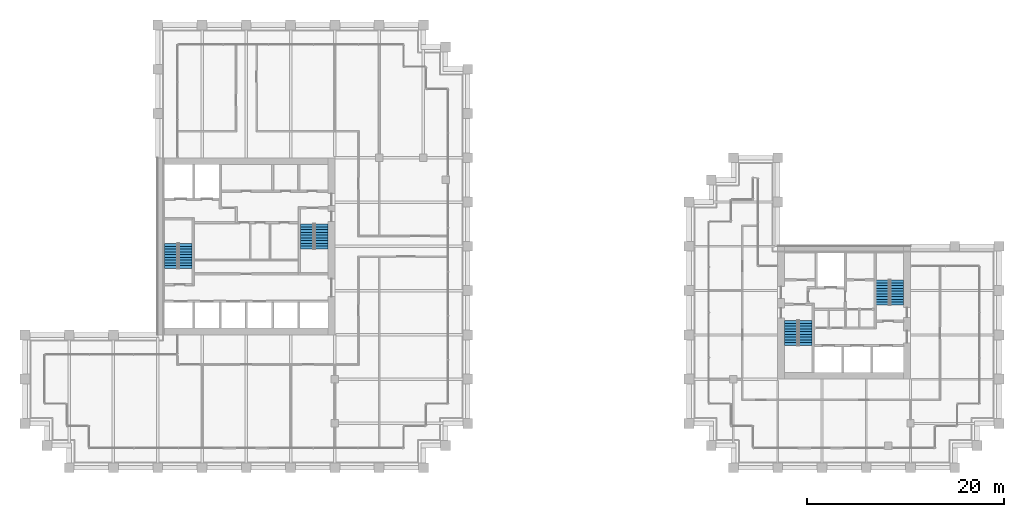
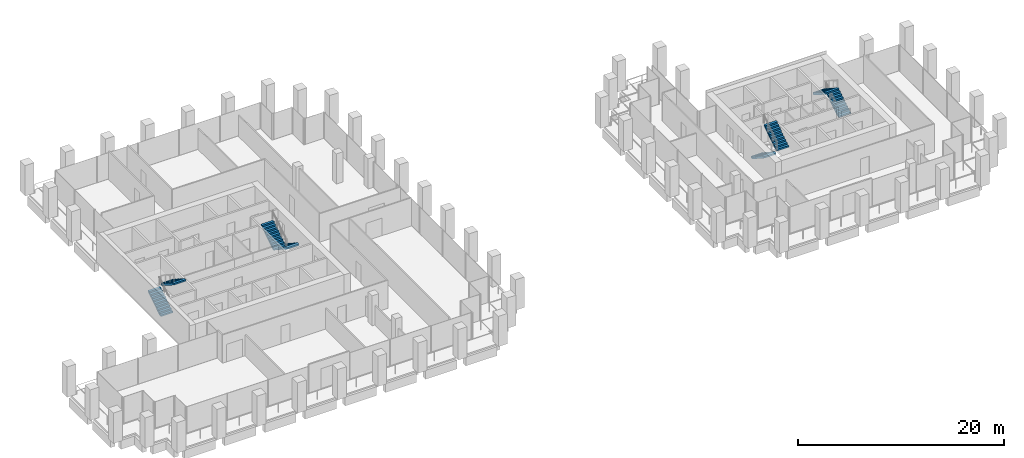
# One storey, part 44 of 45: 8 stair flights, 4 elements without a shape of their own.
"""IFC4 building model written with IfcOpenShell, lengths in metres."""

from ifc_helpers import new_model, si_unit, direction, frame, origin, place, context, subcontext, project, spatial, polyline, outline, extrude, material, type_object, element, aggregate, save


model = new_model("IFC4")

# Units and contexts
model_context = context("Model", 3, precision=1e-05, world=origin(), true_north=direction((0.0, 1.0)))
body_context = subcontext(model_context, "Body", "Model", "MODEL_VIEW")
ifc_project = project(units=[si_unit("LENGTHUNIT", "METRE"), si_unit("AREAUNIT", "SQUARE_METRE"), si_unit("VOLUMEUNIT", "CUBIC_METRE"), si_unit("PLANEANGLEUNIT", "RADIAN"), si_unit("MASSUNIT", "GRAM", prefix="KILO")], contexts=[model_context])

# Site, building, storey
site_placement = place(None, origin())
site = spatial("IfcSite", under=ifc_project, at=site_placement, CompositionType="ELEMENT")
building_placement = place(site_placement, origin())
building = spatial("IfcBuilding", under=site, at=building_placement, Name="Altepetl Exchange Towers", CompositionType="ELEMENT")
storey_placement = place(building_placement, frame((0.0, 0.0, 110.0)))
storey = spatial("IfcBuildingStorey", under=building, at=storey_placement, Name="L27", CompositionType="ELEMENT", Elevation=110.0)

# Stair, stair flights
ifc_material = material(Name="Concrete C40/50", Category="concrete")
stair_type = type_object("IfcStairType", Name="Exit stair 1350 flights dogleg", PredefinedType="HALF_TURN_STAIR", material=ifc_material)
stair_1_placement = place(storey_placement, origin())
stair_1 = element("IfcStair", 1, at=stair_1_placement, inside=storey, type_object=stair_type, Name="Exit stair 1", PredefinedType="HALF_TURN_STAIR")
stair_flight_type = type_object("IfcStairFlightType", Name="Stair flight 1350 wide", PredefinedType="STRAIGHT", material=ifc_material)
stair_flight_1_placement = place(storey_placement, frame((41.875, 47.25, 0.0), z_axis=(0.0, 0.0, 1.0), x_axis=(0.0, 1.0, 0.0)))
stair_flight_1 = element("IfcStairFlight", 2, at=stair_flight_1_placement, type_object=stair_flight_type, Name="ST-A1d flight 1", NumberOfRisers=10, NumberOfTreads=9, PredefinedType="STRAIGHT", RiserHeight=0.18, TreadLength=0.28, context=body_context, shape_type="SweptSolid", body=[
    extrude(outline(polyline([(0.0, 0.0), (0.0, 0.179931640625), (0.280029296875, 0.179931640625), (0.280029296875, 0.360107421875), (0.56005859375, 0.360107421875), (0.56005859375, 0.5400390625), (0.840087890625, 0.5400390625), (0.840087890625, 0.719970703125), (1.1201171875, 0.719970703125), (1.1201171875, 0.89990234375), (1.39990234375, 0.89990234375), (1.39990234375, 1.080078125), (1.679931640625, 1.080078125), (1.679931640625, 1.260009765625), (1.9599609375, 1.260009765625), (1.9599609375, 1.43994140625), (2.239990234375, 1.43994140625), (2.239990234375, 1.6201171875), (2.52001953125, 1.6201171875), (2.52001953125, 1.800048828125), (2.52001953125, 1.44189453125), (0.277099609375, 0.0), (0.0, 0.0)])), frame((0.0, 0.675048828125, 0.0), z_axis=(0.0, -1.0, 0.0), x_axis=(1.0, 0.0, 0.0)), (0.0, 0.0, 1.0), 1.35009765625),
])
stair_flight_2_placement = place(storey_placement, frame((43.324951171875, 49.77001953125, 1.800048828125), z_axis=(0.0, 0.0, 1.0), x_axis=(0.0, -1.0, 0.0)))
stair_flight_2 = element("IfcStairFlight", 3, at=stair_flight_2_placement, type_object=stair_flight_type, Name="ST-A1d flight 2", NumberOfRisers=10, NumberOfTreads=9, PredefinedType="STRAIGHT", RiserHeight=0.18, TreadLength=0.28, context=body_context, shape_type="SweptSolid", body=[
    extrude(outline(polyline([(0.0, 0.0), (0.0, 0.179931640625), (0.280029296875, 0.179931640625), (0.280029296875, 0.360107421875), (0.56005859375, 0.360107421875), (0.56005859375, 0.5400390625), (0.840087890625, 0.5400390625), (0.840087890625, 0.719970703125), (1.1201171875, 0.719970703125), (1.1201171875, 0.89990234375), (1.39990234375, 0.89990234375), (1.39990234375, 1.080078125), (1.679931640625, 1.080078125), (1.679931640625, 1.260009765625), (1.9599609375, 1.260009765625), (1.9599609375, 1.43994140625), (2.239990234375, 1.43994140625), (2.239990234375, 1.6201171875), (2.52001953125, 1.6201171875), (2.52001953125, 1.800048828125), (2.52001953125, 1.44189453125), (0.277099609375, 0.0), (0.0, 0.0)])), frame((0.0, 0.675048828125, 0.0), z_axis=(0.0, -1.0, 0.0), x_axis=(1.0, 0.0, 0.0)), (0.0, 0.0, 1.0), 1.35009765625),
])
aggregate(stair_1, [stair_flight_1, stair_flight_2])

stair_2_placement = place(storey_placement, origin())
stair_2 = element("IfcStair", 4, at=stair_2_placement, inside=storey, type_object=stair_type, Name="Exit stair 2", PredefinedType="HALF_TURN_STAIR")
stair_flight_3_placement = place(storey_placement, frame((57.125, 51.75, 0.0), z_axis=(0.0, 0.0, 1.0), x_axis=(0.0, -1.0, 0.0)))
stair_flight_3 = element("IfcStairFlight", 5, at=stair_flight_3_placement, type_object=stair_flight_type, Name="ST-A2d flight 1", NumberOfRisers=10, NumberOfTreads=9, PredefinedType="STRAIGHT", RiserHeight=0.18, TreadLength=0.28, context=body_context, shape_type="SweptSolid", body=[
    extrude(outline(polyline([(0.0, 0.0), (0.0, 0.179931640625), (0.280029296875, 0.179931640625), (0.280029296875, 0.360107421875), (0.56005859375, 0.360107421875), (0.56005859375, 0.5400390625), (0.840087890625, 0.5400390625), (0.840087890625, 0.719970703125), (1.1201171875, 0.719970703125), (1.1201171875, 0.89990234375), (1.39990234375, 0.89990234375), (1.39990234375, 1.080078125), (1.679931640625, 1.080078125), (1.679931640625, 1.260009765625), (1.9599609375, 1.260009765625), (1.9599609375, 1.43994140625), (2.239990234375, 1.43994140625), (2.239990234375, 1.6201171875), (2.52001953125, 1.6201171875), (2.52001953125, 1.800048828125), (2.52001953125, 1.44189453125), (0.277099609375, 0.0), (0.0, 0.0)])), frame((0.0, 0.675048828125, 0.0), z_axis=(0.0, -1.0, 0.0), x_axis=(1.0, 0.0, 0.0)), (0.0, 0.0, 1.0), 1.35009765625),
])
stair_flight_4_placement = place(storey_placement, frame((55.675048828125, 49.22998046875, 1.800048828125), z_axis=(0.0, 0.0, 1.0), x_axis=(0.0, 1.0, 0.0)))
stair_flight_4 = element("IfcStairFlight", 6, at=stair_flight_4_placement, type_object=stair_flight_type, Name="ST-A2d flight 2", NumberOfRisers=10, NumberOfTreads=9, PredefinedType="STRAIGHT", RiserHeight=0.18, TreadLength=0.28, context=body_context, shape_type="SweptSolid", body=[
    extrude(outline(polyline([(0.0, 0.0), (0.0, 0.179931640625), (0.280029296875, 0.179931640625), (0.280029296875, 0.360107421875), (0.56005859375, 0.360107421875), (0.56005859375, 0.5400390625), (0.840087890625, 0.5400390625), (0.840087890625, 0.719970703125), (1.1201171875, 0.719970703125), (1.1201171875, 0.89990234375), (1.39990234375, 0.89990234375), (1.39990234375, 1.080078125), (1.679931640625, 1.080078125), (1.679931640625, 1.260009765625), (1.9599609375, 1.260009765625), (1.9599609375, 1.43994140625), (2.239990234375, 1.43994140625), (2.239990234375, 1.6201171875), (2.52001953125, 1.6201171875), (2.52001953125, 1.800048828125), (2.52001953125, 1.44189453125), (0.277099609375, 0.0), (0.0, 0.0)])), frame((0.0, 0.675048828125, 0.0), z_axis=(0.0, -1.0, 0.0), x_axis=(1.0, 0.0, 0.0)), (0.0, 0.0, 1.0), 1.35009765625),
])
aggregate(stair_2, [stair_flight_3, stair_flight_4])

stair_3_placement = place(storey_placement, origin())
stair_3 = element("IfcStair", 7, at=stair_3_placement, inside=storey, type_object=stair_type, Name="Exit stair 1", PredefinedType="HALF_TURN_STAIR")
stair_flight_5_placement = place(storey_placement, frame((104.875, 41.949951171875, 0.0), z_axis=(0.0, 0.0, 1.0), x_axis=(0.0, -1.0, 0.0)))
stair_flight_5 = element("IfcStairFlight", 8, at=stair_flight_5_placement, type_object=stair_flight_type, Name="ST-B1d flight 1", NumberOfRisers=10, NumberOfTreads=9, PredefinedType="STRAIGHT", RiserHeight=0.18, TreadLength=0.28, context=body_context, shape_type="SweptSolid", body=[
    extrude(outline(polyline([(0.0, 0.0), (0.0, 0.179931640625), (0.280029296875, 0.179931640625), (0.280029296875, 0.360107421875), (0.56005859375, 0.360107421875), (0.56005859375, 0.5400390625), (0.840087890625, 0.5400390625), (0.840087890625, 0.719970703125), (1.1201171875, 0.719970703125), (1.1201171875, 0.89990234375), (1.39990234375, 0.89990234375), (1.39990234375, 1.080078125), (1.679931640625, 1.080078125), (1.679931640625, 1.260009765625), (1.9599609375, 1.260009765625), (1.9599609375, 1.43994140625), (2.239990234375, 1.43994140625), (2.239990234375, 1.6201171875), (2.52001953125, 1.6201171875), (2.52001953125, 1.800048828125), (2.52001953125, 1.44189453125), (0.277099609375, 0.0), (0.0, 0.0)])), frame((0.0, 0.675048828125, 0.0), z_axis=(0.0, -1.0, 0.0), x_axis=(1.0, 0.0, 0.0)), (0.0, 0.0, 1.0), 1.35009765625),
])
stair_flight_6_placement = place(storey_placement, frame((106.324951171875, 39.429931640625, 1.800048828125), z_axis=(0.0, 0.0, 1.0), x_axis=(0.0, 1.0, 0.0)))
stair_flight_6 = element("IfcStairFlight", 9, at=stair_flight_6_placement, type_object=stair_flight_type, Name="ST-B1d flight 2", NumberOfRisers=10, NumberOfTreads=9, PredefinedType="STRAIGHT", RiserHeight=0.18, TreadLength=0.28, context=body_context, shape_type="SweptSolid", body=[
    extrude(outline(polyline([(0.0, 0.0), (0.0, 0.179931640625), (0.280029296875, 0.179931640625), (0.280029296875, 0.360107421875), (0.56005859375, 0.360107421875), (0.56005859375, 0.5400390625), (0.840087890625, 0.5400390625), (0.840087890625, 0.719970703125), (1.1201171875, 0.719970703125), (1.1201171875, 0.89990234375), (1.39990234375, 0.89990234375), (1.39990234375, 1.080078125), (1.679931640625, 1.080078125), (1.679931640625, 1.260009765625), (1.9599609375, 1.260009765625), (1.9599609375, 1.43994140625), (2.239990234375, 1.43994140625), (2.239990234375, 1.6201171875), (2.52001953125, 1.6201171875), (2.52001953125, 1.800048828125), (2.52001953125, 1.44189453125), (0.277099609375, 0.0), (0.0, 0.0)])), frame((0.0, 0.675048828125, 0.0), z_axis=(0.0, -1.0, 0.0), x_axis=(1.0, 0.0, 0.0)), (0.0, 0.0, 1.0), 1.35009765625),
])
aggregate(stair_3, [stair_flight_5, stair_flight_6])

stair_4_placement = place(storey_placement, origin())
stair_4 = element("IfcStair", 10, at=stair_4_placement, inside=storey, type_object=stair_type, Name="Exit stair 2", PredefinedType="HALF_TURN_STAIR")
stair_flight_7_placement = place(storey_placement, frame((115.625, 43.550048828125, 0.0), z_axis=(0.0, 0.0, 1.0), x_axis=(0.0, 1.0, 0.0)))
stair_flight_7 = element("IfcStairFlight", 11, at=stair_flight_7_placement, type_object=stair_flight_type, Name="ST-B2d flight 1", NumberOfRisers=10, NumberOfTreads=9, PredefinedType="STRAIGHT", RiserHeight=0.18, TreadLength=0.28, context=body_context, shape_type="SweptSolid", body=[
    extrude(outline(polyline([(0.0, 0.0), (0.0, 0.179931640625), (0.280029296875, 0.179931640625), (0.280029296875, 0.360107421875), (0.56005859375, 0.360107421875), (0.56005859375, 0.5400390625), (0.840087890625, 0.5400390625), (0.840087890625, 0.719970703125), (1.1201171875, 0.719970703125), (1.1201171875, 0.89990234375), (1.39990234375, 0.89990234375), (1.39990234375, 1.080078125), (1.679931640625, 1.080078125), (1.679931640625, 1.260009765625), (1.9599609375, 1.260009765625), (1.9599609375, 1.43994140625), (2.239990234375, 1.43994140625), (2.239990234375, 1.6201171875), (2.52001953125, 1.6201171875), (2.52001953125, 1.800048828125), (2.52001953125, 1.44189453125), (0.277099609375, 0.0), (0.0, 0.0)])), frame((0.0, 0.675048828125, 0.0), z_axis=(0.0, -1.0, 0.0), x_axis=(1.0, 0.0, 0.0)), (0.0, 0.0, 1.0), 1.35009765625),
])
stair_flight_8_placement = place(storey_placement, frame((114.175048828125, 46.070068359375, 1.800048828125), z_axis=(0.0, 0.0, 1.0), x_axis=(0.0, -1.0, 0.0)))
stair_flight_8 = element("IfcStairFlight", 12, at=stair_flight_8_placement, type_object=stair_flight_type, Name="ST-B2d flight 2", NumberOfRisers=10, NumberOfTreads=9, PredefinedType="STRAIGHT", RiserHeight=0.18, TreadLength=0.28, context=body_context, shape_type="SweptSolid", body=[
    extrude(outline(polyline([(0.0, 0.0), (0.0, 0.179931640625), (0.280029296875, 0.179931640625), (0.280029296875, 0.360107421875), (0.56005859375, 0.360107421875), (0.56005859375, 0.5400390625), (0.840087890625, 0.5400390625), (0.840087890625, 0.719970703125), (1.1201171875, 0.719970703125), (1.1201171875, 0.89990234375), (1.39990234375, 0.89990234375), (1.39990234375, 1.080078125), (1.679931640625, 1.080078125), (1.679931640625, 1.260009765625), (1.9599609375, 1.260009765625), (1.9599609375, 1.43994140625), (2.239990234375, 1.43994140625), (2.239990234375, 1.6201171875), (2.52001953125, 1.6201171875), (2.52001953125, 1.800048828125), (2.52001953125, 1.44189453125), (0.277099609375, 0.0), (0.0, 0.0)])), frame((0.0, 0.675048828125, 0.0), z_axis=(0.0, -1.0, 0.0), x_axis=(1.0, 0.0, 0.0)), (0.0, 0.0, 1.0), 1.35009765625),
])
aggregate(stair_4, [stair_flight_7, stair_flight_8])

save(model, "model.ifc")
